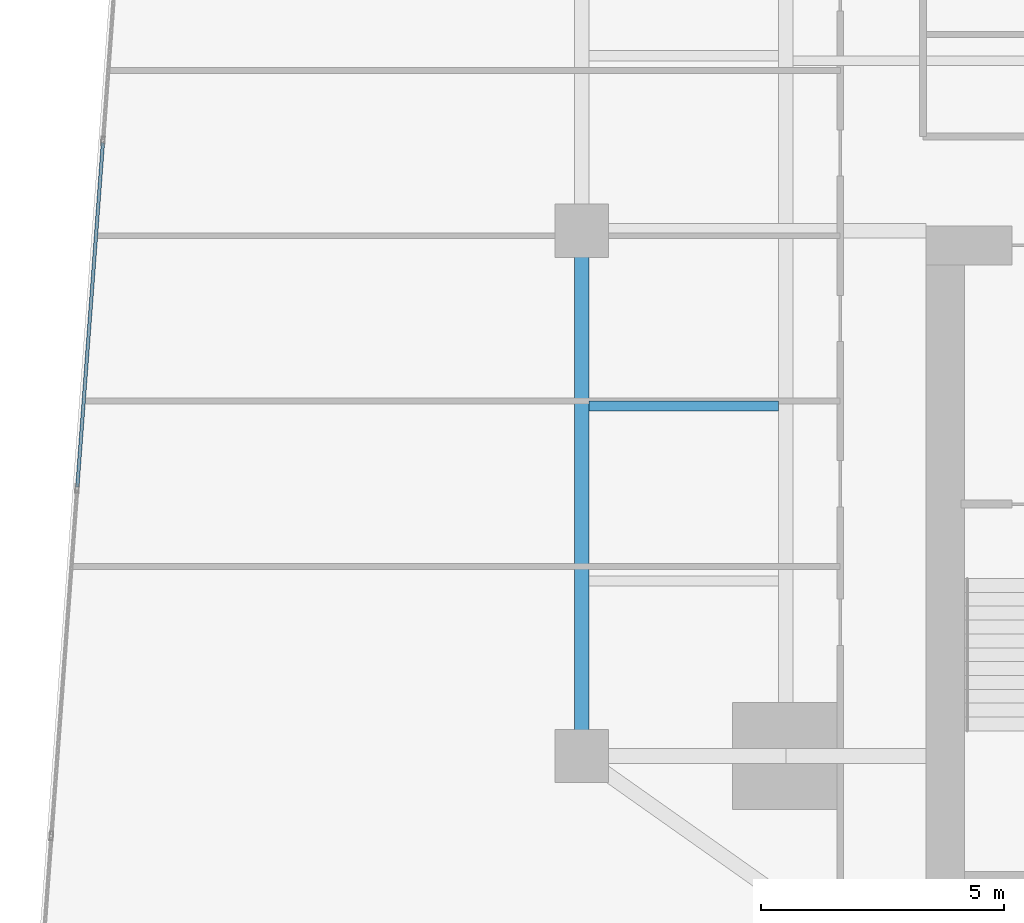
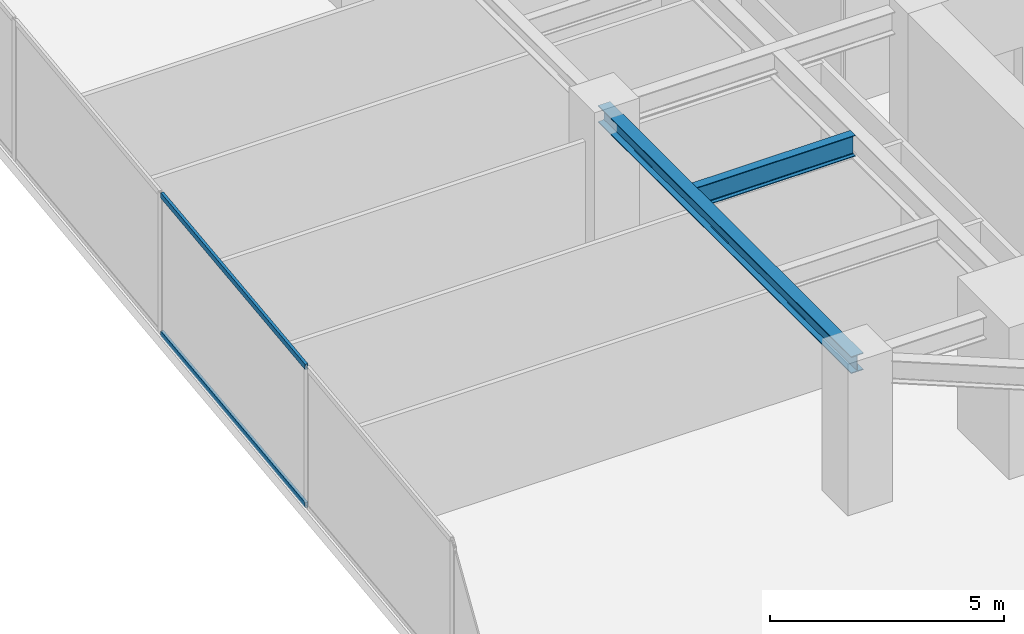
# One storey, part 9 of 30: 2 beams, 2 members, 1 element without a shape of its own.
"""IFC4 building model written with IfcOpenShell, lengths in metres."""

from ifc_helpers import new_model, si_unit, direction, frame, origin, origin_2d, place, context, subcontext, project, spatial, hollow_rectangle, i_section, extrude, source, transform, mapped, material, material_profile, profile_set, type_object, type_shapes, element, aggregate, save


model = new_model("IFC4")

# Units and contexts
model_context = context("Model", 3, precision=1e-05, world=origin(), true_north=direction((0.0, 1.0)))
body_context = subcontext(model_context, "Body", "Model", "MODEL_VIEW")
ifc_project = project(units=[si_unit("LENGTHUNIT", "METRE"), si_unit("AREAUNIT", "SQUARE_METRE"), si_unit("VOLUMEUNIT", "CUBIC_METRE"), si_unit("PLANEANGLEUNIT", "RADIAN"), si_unit("MASSUNIT", "GRAM", prefix="KILO")], contexts=[model_context])

# Site, building, storey
site_placement = place(None, origin())
site = spatial("IfcSite", under=ifc_project, at=site_placement, CompositionType="ELEMENT")
building_placement = place(site_placement, origin())
building = spatial("IfcBuilding", under=site, at=building_placement, Name="Krantzveldt Concourse Tower", CompositionType="ELEMENT")
storey_placement = place(building_placement, frame((0.0, 0.0, 48.699951171875)))
storey = spatial("IfcBuildingStorey", under=building, at=storey_placement, Name="L11", CompositionType="ELEMENT", Elevation=48.699951171875)

# Beams
ifc_material_1 = material(Name="Steel S355JR", Category="steel")
ifc_material_profile_1 = material_profile(ifc_material_1, i_section(OverallWidth=0.300048828125, OverallDepth=0.43994140625, WebThickness=0.011474609375, FlangeThickness=0.02099609375, FilletRadius=0.027099609375, at=origin_2d()), Name="Steel S355JR", Category="steel")
ifc_profile_set_1 = profile_set([ifc_material_profile_1], Name="Steel S355JR - HEA 450")
beam_type_1 = type_object("IfcBeamType", Name="BM-SP-HEA450", PredefinedType="SPANDREL", material=ifc_profile_set_1)
shared_shape_1 = source(origin(), body_context, "Body", "SweptSolid", [
    extrude(i_section(OverallWidth=0.300048828125, OverallDepth=0.43994140625, WebThickness=0.011474609375, FlangeThickness=0.02099609375, FilletRadius=0.027099609375, at=origin_2d()), origin(), (0.0, 0.0, 1.0), 10.800048828125),
])
type_shapes(beam_type_1, [shared_shape_1])
beam_1_placement = place(storey_placement, frame((21.0, 15.89990234375, 3.449951171875), z_axis=(0.0, 1.0, 0.0), x_axis=(-1.0, 0.0, 0.0)))
element("IfcBeam", 1, at=beam_1_placement, inside=storey, type_object=beam_type_1, Name="L11 Tower Girder SP-R01", PredefinedType="SPANDREL", context=body_context, shape_type="MappedRepresentation", body=[
    mapped(shared_shape_1, transform((0.0, 0.0, 0.0), x_axis=(1.0, 0.0, 0.0), y_axis=(0.0, 1.0, 0.0), z_axis=(0.0, 0.0, 1.0), scale=1.0)),
])
ifc_material_profile_2 = material_profile(ifc_material_1, i_section(OverallWidth=0.2099609375, OverallDepth=0.550048828125, WebThickness=0.010986328125, FlangeThickness=0.01708984375, FilletRadius=0.02392578125, at=origin_2d()), Name="Steel S355JR", Category="steel")
ifc_profile_set_2 = profile_set([ifc_material_profile_2], Name="Steel S355JR - IPE 550")
beam_type_2 = type_object("IfcBeamType", Name="BM-J-IPE550", PredefinedType="JOIST", material=ifc_profile_set_2)
shared_shape_2 = source(origin(), body_context, "Body", "SweptSolid", [
    extrude(i_section(OverallWidth=0.2099609375, OverallDepth=0.550048828125, WebThickness=0.010986328125, FlangeThickness=0.01708984375, FilletRadius=0.02392578125, at=origin_2d()), origin(), (0.0, 0.0, 1.0), 3.900146484375),
])
type_shapes(beam_type_2, [shared_shape_2])
beam_2_placement = place(storey_placement, frame((21.14990234375, 23.10009765625, 3.39501953125), z_axis=(1.0, 0.0, 0.0), x_axis=(0.0, 1.0, 0.0)))
element("IfcBeam", 2, at=beam_2_placement, inside=storey, type_object=beam_type_2, Name="L11 Secondary Floor Joist JW-2", PredefinedType="JOIST", context=body_context, shape_type="MappedRepresentation", body=[
    mapped(shared_shape_2, transform((0.0, 0.0, 0.0), x_axis=(1.0, 0.0, 0.0), y_axis=(0.0, 1.0, 0.0), z_axis=(0.0, 0.0, 1.0), scale=1.0)),
])

# Curtain wall, members
ifc_material_2 = material(Name="Anodised aluminium 6063-T6", Category="aluminium")
curtain_wall_type = type_object("IfcCurtainWallType", Name="CW2", PredefinedType="USERDEFINED", material=ifc_material_2)
curtain_wall_placement = place(storey_placement, origin())
curtain_wall = element("IfcCurtainWall", 3, at=curtain_wall_placement, inside=storey, type_object=curtain_wall_type, Name="CW-L11-F01", ObjectType="UNITISED CURTAIN WALL", PredefinedType="USERDEFINED")
ifc_material_profile_3 = material_profile(ifc_material_2, hollow_rectangle(XDim=0.070068359375, YDim=0.139892578125, WallThickness=0.0048828125, at=origin_2d()), Name="Anodised aluminium 6063-T6", Category="aluminium")
ifc_profile_set_3 = profile_set([ifc_material_profile_3], Name="Anodised aluminium 6063-T6 - ALU-TRAN 140x70x5")
member_type = type_object("IfcMemberType", Name="CW-TRN-150", PredefinedType="USERDEFINED", material=ifc_profile_set_3)
shared_shape_3 = source(origin(), body_context, "Body", "SweptSolid", [
    extrude(hollow_rectangle(XDim=0.070068359375, YDim=0.139892578125, WallThickness=0.0048828125, at=origin_2d()), origin(), (0.0, 0.0, 1.0), 7.0966796875),
])
type_shapes(member_type, [shared_shape_3])
member_1_placement = place(storey_placement, frame((11.156005859375, 28.51123046875, 0.03515625), z_axis=(-0.074136527461, -0.997248101174, 0.0), x_axis=(0.997248101174, -0.074136527461, 0.0)))
member_1 = element("IfcMember", 4, at=member_1_placement, type_object=member_type, Name="CW-Z12 transom 4.1", ObjectType="TRANSOM", PredefinedType="USERDEFINED", context=body_context, shape_type="MappedRepresentation", body=[
    mapped(shared_shape_3, transform((0.0, 0.0, 0.0), x_axis=(1.0, 0.0, 0.0), y_axis=(0.0, 1.0, 0.0), z_axis=(0.0, 0.0, 1.0), scale=1.0)),
])
member_2_placement = place(storey_placement, frame((11.156005859375, 28.51123046875, 3.635009765625), z_axis=(-0.074136527461, -0.997248101174, 0.0), x_axis=(0.997248101174, -0.074136527461, 0.0)))
member_2 = element("IfcMember", 5, at=member_2_placement, type_object=member_type, Name="CW-Z12 transom 4.2", ObjectType="TRANSOM", PredefinedType="USERDEFINED", context=body_context, shape_type="MappedRepresentation", body=[
    mapped(shared_shape_3, transform((0.0, 0.0, 0.0), x_axis=(1.0, 0.0, 0.0), y_axis=(0.0, 1.0, 0.0), z_axis=(0.0, 0.0, 1.0), scale=1.0)),
])
aggregate(curtain_wall, [member_1, member_2])

save(model, "model.ifc")
